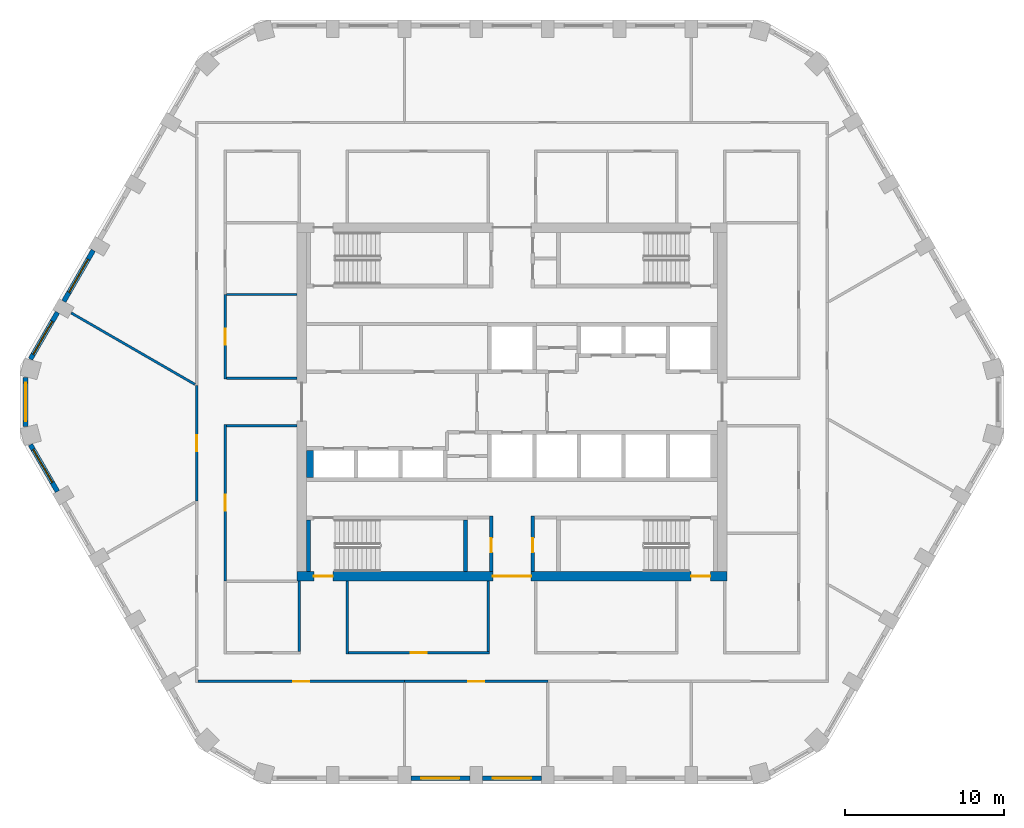
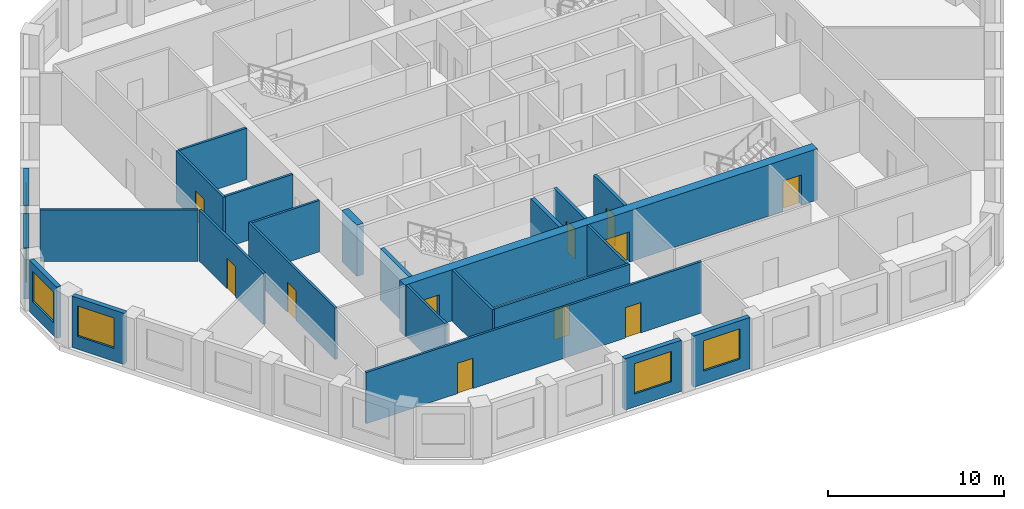
# One storey, part 2 of 9: 25 walls, 11 doors, 6 windows, 17 openings.
"""IFC4 building model written with IfcOpenShell, lengths in metres."""

from ifc_helpers import new_model, si_unit, direction, frame, frame_2d, origin, place, context, subcontext, project, spatial, polyline, rectangle, outline, extrude, material, layer, layer_set, type_object, element, fill, save


model = new_model("IFC4")

# Units and contexts
model_context = context("Model", 3, precision=1e-05, world=origin(), true_north=direction((0.0, 1.0)))
body_context = subcontext(model_context, "Body", "Model", "MODEL_VIEW")
ifc_project = project(units=[si_unit("LENGTHUNIT", "METRE"), si_unit("AREAUNIT", "SQUARE_METRE"), si_unit("VOLUMEUNIT", "CUBIC_METRE"), si_unit("PLANEANGLEUNIT", "RADIAN"), si_unit("MASSUNIT", "GRAM", prefix="KILO")], contexts=[model_context])

# Site, building, storey
site_placement = place(None, origin())
site = spatial("IfcSite", under=ifc_project, at=site_placement, CompositionType="ELEMENT")
building_placement = place(site_placement, origin())
building = spatial("IfcBuilding", under=site, at=building_placement, Name="Dhurran Vertical Campus", CompositionType="ELEMENT")
storey_placement = place(building_placement, frame((0.0, 0.0, 199.5)))
storey = spatial("IfcBuildingStorey", under=building, at=storey_placement, Name="L49", CompositionType="ELEMENT", Elevation=199.5)

# Wall, opening, window
ifc_material_1 = material(Name="Precast concrete C50/60", Category="concrete")
ifc_layer_1 = layer(ifc_material_1, 0.300048828125)
ifc_layer_set_1 = layer_set([ifc_layer_1], Name="Precast concrete C50/60")
wall_type_1 = type_object("IfcWallType", Name="Precast spandrel wall 300", PredefinedType="SOLIDWALL", material=ifc_layer_set_1)
wall_1_placement = place(storey_placement, frame((-6.349609375, -23.635498046875, 0.0), z_axis=(0.0, 0.0, 1.0), x_axis=(1.0, 0.0, 0.0)))
wall_1 = element("IfcWall", 1, at=wall_1_placement, inside=storey, type_object=wall_type_1, Name="EW1 L49.02", PredefinedType="SOLIDWALL", context=body_context, shape_type="SweptSolid", body=[
    extrude(rectangle(XDim=3.69921875, YDim=0.300048828125, at=frame_2d((1.849609375, 0.0))), origin(), (0.0, 0.0, 1.0), 3.550048828125),
])
opening_1_placement = place(wall_1_placement, frame((0.6494140625, 0.0, 0.89990234375)))
opening_1 = element("IfcOpeningElement", 2, at=opening_1_placement, cuts=wall_1, Name="Opening WT1", PredefinedType="OPENING", context=body_context, shape_type="SweptSolid", body=[
    extrude(rectangle(XDim=2.39990234375, YDim=2.10009765625, at=frame_2d((1.199951171875, 1.050048828125))), frame((0.0, 0.159912109375, 0.0), z_axis=(0.0, -1.0, 0.0), x_axis=(1.0, 0.0, 0.0)), (0.0, 0.0, 1.0), 0.320068359375),
])
ifc_material_2 = material(Name="Aluminium frame with solar-control glass", Category="aluminium")
window_type = type_object("IfcWindowType", Name="Punched window 2400 x 2100", PartitioningType="SINGLE_PANEL", PredefinedType="WINDOW", material=ifc_material_2)
window_1_placement = place(opening_1_placement, origin())
window_1 = element("IfcWindow", 3, at=window_1_placement, inside=storey, type_object=window_type, Name="WT1 L49.02", OverallHeight=2.10009765625, OverallWidth=2.39990234375, PartitioningType="SINGLE_PANEL", PredefinedType="WINDOW", context=body_context, shape_type="SweptSolid", body=[
    extrude(rectangle(XDim=2.39990234375, YDim=2.10009765625, at=frame_2d((1.199951171875, 1.050048828125))), frame((0.0, 0.030029296875, 0.0), z_axis=(0.0, -1.0, 0.0), x_axis=(1.0, 0.0, 0.0)), (0.0, 0.0, 1.0), 0.06005859375),
])
fill(opening_1, window_1)

wall_2_placement = place(storey_placement, frame((-1.849609375, -23.635498046875, 0.0), z_axis=(0.0, 0.0, 1.0), x_axis=(1.0, 0.0, 0.0)))
wall_2 = element("IfcWall", 4, at=wall_2_placement, inside=storey, type_object=wall_type_1, Name="EW1 L49.03", PredefinedType="SOLIDWALL", context=body_context, shape_type="SweptSolid", body=[
    extrude(rectangle(XDim=3.69921875, YDim=0.300048828125, at=frame_2d((1.849609375, 0.0))), origin(), (0.0, 0.0, 1.0), 3.550048828125),
])
opening_2_placement = place(wall_2_placement, frame((0.6494140625, 0.0, 0.89990234375)))
opening_2 = element("IfcOpeningElement", 5, at=opening_2_placement, cuts=wall_2, Name="Opening WT1", PredefinedType="OPENING", context=body_context, shape_type="SweptSolid", body=[
    extrude(rectangle(XDim=2.39990234375, YDim=2.10009765625, at=frame_2d((1.199951171875, 1.050048828125))), frame((0.0, 0.159912109375, 0.0), z_axis=(0.0, -1.0, 0.0), x_axis=(1.0, 0.0, 0.0)), (0.0, 0.0, 1.0), 0.320068359375),
])
window_2_placement = place(opening_2_placement, origin())
window_2 = element("IfcWindow", 6, at=window_2_placement, inside=storey, type_object=window_type, Name="WT1 L49.03", OverallHeight=2.10009765625, OverallWidth=2.39990234375, PartitioningType="SINGLE_PANEL", PredefinedType="WINDOW", context=body_context, shape_type="SweptSolid", body=[
    extrude(rectangle(XDim=2.39990234375, YDim=2.10009765625, at=frame_2d((1.199951171875, 1.050048828125))), frame((0.0, 0.030029296875, 0.0), z_axis=(0.0, -1.0, 0.0), x_axis=(1.0, 0.0, 0.0)), (0.0, 0.0, 1.0), 0.06005859375),
])
fill(opening_2, window_2)

wall_3_placement = place(storey_placement, frame((-26.294189453125, 9.5224609375, 0.0), z_axis=(0.0, 0.0, 1.0), x_axis=(-0.500029062817, -0.866008623709, 0.0)))
wall_3 = element("IfcWall", 7, at=wall_3_placement, inside=storey, type_object=wall_type_1, Name="EW1 L49.31", PredefinedType="SOLIDWALL", context=body_context, shape_type="SweptSolid", body=[
    extrude(rectangle(XDim=3.698974609375, YDim=0.300048828125, at=frame_2d((1.849609375, 0.0))), origin(), (0.0, 0.0, 1.0), 3.550048828125),
])
opening_3_placement = place(wall_3_placement, frame((0.6494140625, 0.0, 0.89990234375)))
opening_3 = element("IfcOpeningElement", 8, at=opening_3_placement, cuts=wall_3, Name="Opening WT1", PredefinedType="OPENING", context=body_context, shape_type="SweptSolid", body=[
    extrude(rectangle(XDim=2.39990234375, YDim=2.10009765625, at=frame_2d((1.199951171875, 1.050048828125))), frame((0.0, 0.159912109375, 0.0), z_axis=(0.0, -1.0, 0.0), x_axis=(1.0, 0.0, 0.0)), (0.0, 0.0, 1.0), 0.320068359375),
])
window_3_placement = place(opening_3_placement, origin())
window_3 = element("IfcWindow", 9, at=window_3_placement, inside=storey, type_object=window_type, Name="WT1 L49.31", OverallHeight=2.10009765625, OverallWidth=2.39990234375, PartitioningType="SINGLE_PANEL", PredefinedType="WINDOW", context=body_context, shape_type="SweptSolid", body=[
    extrude(rectangle(XDim=2.39990234375, YDim=2.10009765625, at=frame_2d((1.199951171875, 1.050048828125))), frame((0.0, 0.030029296875, 0.0), z_axis=(0.0, -1.0, 0.0), x_axis=(1.0, 0.0, 0.0)), (0.0, 0.0, 1.0), 0.06005859375),
])
fill(opening_3, window_3)

wall_4_placement = place(storey_placement, frame((-28.544189453125, 5.625244140625, 0.0), z_axis=(0.0, 0.0, 1.0), x_axis=(-0.500012868213, -0.866017974191, 0.0)))
wall_4 = element("IfcWall", 10, at=wall_4_placement, inside=storey, type_object=wall_type_1, Name="EW1 L49.32", PredefinedType="SOLIDWALL", context=body_context, shape_type="SweptSolid", body=[
    extrude(rectangle(XDim=3.39599609375, YDim=0.300048828125, at=frame_2d((1.697998046875, 0.0))), origin(), (0.0, 0.0, 1.0), 3.550048828125),
])
opening_4_placement = place(wall_4_placement, frame((0.6494140625, 0.0, 0.89990234375)))
opening_4 = element("IfcOpeningElement", 11, at=opening_4_placement, cuts=wall_4, Name="Opening WT1", PredefinedType="OPENING", context=body_context, shape_type="SweptSolid", body=[
    extrude(rectangle(XDim=2.39990234375, YDim=2.10009765625, at=frame_2d((1.199951171875, 1.050048828125))), frame((0.0, 0.159912109375, 0.0), z_axis=(0.0, -1.0, 0.0), x_axis=(1.0, 0.0, 0.0)), (0.0, 0.0, 1.0), 0.320068359375),
])
window_4_placement = place(opening_4_placement, origin())
window_4 = element("IfcWindow", 12, at=window_4_placement, inside=storey, type_object=window_type, Name="WT1 L49.32", OverallHeight=2.10009765625, OverallWidth=2.39990234375, PartitioningType="SINGLE_PANEL", PredefinedType="WINDOW", context=body_context, shape_type="SweptSolid", body=[
    extrude(rectangle(XDim=2.39990234375, YDim=2.10009765625, at=frame_2d((1.199951171875, 1.050048828125))), frame((0.0, 0.030029296875, 0.0), z_axis=(0.0, -1.0, 0.0), x_axis=(1.0, 0.0, 0.0)), (0.0, 0.0, 1.0), 0.06005859375),
])
fill(opening_4, window_4)

wall_5_placement = place(storey_placement, frame((-30.547119140625, 1.54638671875, 0.0), z_axis=(0.0, 0.0, 1.0), x_axis=(0.0, -1.0, 0.0)))
wall_5 = element("IfcWall", 13, at=wall_5_placement, inside=storey, type_object=wall_type_1, Name="EW1 L49.33", PredefinedType="SOLIDWALL", context=body_context, shape_type="SweptSolid", body=[
    extrude(rectangle(XDim=3.0927734375, YDim=0.300048828125, at=frame_2d((1.54638671875, 0.0))), origin(), (0.0, 0.0, 1.0), 3.550048828125),
])
opening_5_placement = place(wall_5_placement, frame((0.34619140625, 0.0, 0.89990234375)))
opening_5 = element("IfcOpeningElement", 14, at=opening_5_placement, cuts=wall_5, Name="Opening WT1", PredefinedType="OPENING", context=body_context, shape_type="SweptSolid", body=[
    extrude(rectangle(XDim=2.39990234375, YDim=2.10009765625, at=frame_2d((1.199951171875, 1.050048828125))), frame((0.0, 0.159912109375, 0.0), z_axis=(0.0, -1.0, 0.0), x_axis=(1.0, 0.0, 0.0)), (0.0, 0.0, 1.0), 0.320068359375),
])
window_5_placement = place(opening_5_placement, origin())
window_5 = element("IfcWindow", 15, at=window_5_placement, inside=storey, type_object=window_type, Name="WT1 L49.33", OverallHeight=2.10009765625, OverallWidth=2.39990234375, PartitioningType="SINGLE_PANEL", PredefinedType="WINDOW", context=body_context, shape_type="SweptSolid", body=[
    extrude(rectangle(XDim=2.39990234375, YDim=2.10009765625, at=frame_2d((1.199951171875, 1.050048828125))), frame((0.0, 0.030029296875, 0.0), z_axis=(0.0, -1.0, 0.0), x_axis=(1.0, 0.0, 0.0)), (0.0, 0.0, 1.0), 0.06005859375),
])
fill(opening_5, window_5)

wall_6_placement = place(storey_placement, frame((-30.2421875, -2.684326171875, 0.0), z_axis=(0.0, 0.0, 1.0), x_axis=(0.500012868213, -0.866017974191, 0.0)))
wall_6 = element("IfcWall", 16, at=wall_6_placement, inside=storey, type_object=wall_type_1, Name="EW1 L49.34", PredefinedType="SOLIDWALL", context=body_context, shape_type="SweptSolid", body=[
    extrude(rectangle(XDim=3.39599609375, YDim=0.300048828125, at=frame_2d((1.697998046875, 0.0))), origin(), (0.0, 0.0, 1.0), 3.550048828125),
])
opening_6_placement = place(wall_6_placement, frame((0.346435546875, 0.0, 0.89990234375)))
opening_6 = element("IfcOpeningElement", 17, at=opening_6_placement, cuts=wall_6, Name="Opening WT1", PredefinedType="OPENING", context=body_context, shape_type="SweptSolid", body=[
    extrude(rectangle(XDim=2.39990234375, YDim=2.10009765625, at=frame_2d((1.199951171875, 1.050048828125))), frame((0.0, 0.159912109375, 0.0), z_axis=(0.0, -1.0, 0.0), x_axis=(1.0, 0.0, 0.0)), (0.0, 0.0, 1.0), 0.320068359375),
])
window_6_placement = place(opening_6_placement, origin())
window_6 = element("IfcWindow", 18, at=window_6_placement, inside=storey, type_object=window_type, Name="WT1 L49.34", OverallHeight=2.10009765625, OverallWidth=2.39990234375, PartitioningType="SINGLE_PANEL", PredefinedType="WINDOW", context=body_context, shape_type="SweptSolid", body=[
    extrude(rectangle(XDim=2.39990234375, YDim=2.10009765625, at=frame_2d((1.199951171875, 1.050048828125))), frame((0.0, 0.030029296875, 0.0), z_axis=(0.0, -1.0, 0.0), x_axis=(1.0, 0.0, 0.0)), (0.0, 0.0, 1.0), 0.06005859375),
])
fill(opening_6, window_6)

# Wall, openings, doors
ifc_material_3 = material(Name="Concrete C50/60", Category="concrete")
ifc_layer_2 = layer(ifc_material_3, 0.60009765625)
ifc_layer_set_2 = layer_set([ifc_layer_2], Name="Concrete C50/60")
wall_type_2 = type_object("IfcWallType", Name="co-CORE-WALL-C2-600", PredefinedType="SHEAR", material=ifc_layer_set_2)
wall_7_placement = place(storey_placement, frame((-13.5, -10.949951171875, 0.0), z_axis=(0.0, 0.0, 1.0), x_axis=(1.0, 0.0, 0.0)))
wall_7 = element("IfcWall", 19, at=wall_7_placement, inside=storey, type_object=wall_type_2, Name="Core wall S L49", PredefinedType="SHEAR", context=body_context, shape_type="SweptSolid", body=[
    extrude(rectangle(XDim=27.0, YDim=0.60009765625, at=frame_2d((13.5, 0.0))), origin(), (0.0, 0.0, 1.0), 3.550048828125),
])
opening_7_placement = place(wall_7_placement, frame((12.300048828125, 0.0, 0.0)))
opening_7 = element("IfcOpeningElement", 20, at=opening_7_placement, cuts=wall_7, Name="Opening CV2", PredefinedType="OPENING", context=body_context, shape_type="SweptSolid", body=[
    extrude(rectangle(XDim=2.39990234375, YDim=2.10009765625, at=frame_2d((1.199951171875, 1.050048828125))), frame((0.0, 0.31005859375, 0.0), z_axis=(0.0, -1.0, 0.0), x_axis=(1.0, 0.0, 0.0)), (0.0, 0.0, 1.0), 0.6201171875),
])
opening_8_placement = place(wall_7_placement, frame((1.050048828125, 0.0, 0.0)))
opening_8 = element("IfcOpeningElement", 21, at=opening_8_placement, cuts=wall_7, Name="Opening XD3", PredefinedType="OPENING", context=body_context, shape_type="SweptSolid", body=[
    extrude(rectangle(XDim=1.199951171875, YDim=2.10009765625, at=frame_2d((0.60009765625, 1.050048828125))), frame((0.0, 0.31005859375, 0.0), z_axis=(0.0, -1.0, 0.0), x_axis=(1.0, 0.0, 0.0)), (0.0, 0.0, 1.0), 0.6201171875),
])
opening_9_placement = place(wall_7_placement, frame((24.75, 0.0, 0.0)))
opening_9 = element("IfcOpeningElement", 22, at=opening_9_placement, cuts=wall_7, Name="Opening XD4", PredefinedType="OPENING", context=body_context, shape_type="SweptSolid", body=[
    extrude(rectangle(XDim=1.199951171875, YDim=2.10009765625, at=frame_2d((0.60009765625, 1.050048828125))), frame((0.0, 0.31005859375, 0.0), z_axis=(0.0, -1.0, 0.0), x_axis=(1.0, 0.0, 0.0)), (0.0, 0.0, 1.0), 0.6201171875),
])
ifc_material_4 = material(Name="Fire-rated glazed door set")
door_type_1 = type_object("IfcDoorType", Name="co-D-LOBBY 2400x2100", OperationType="DOUBLE_DOOR_DOUBLE_SWING", PredefinedType="DOOR", material=ifc_material_4)
door_1_placement = place(opening_7_placement, origin())
door_1 = element("IfcDoor", 23, at=door_1_placement, inside=storey, type_object=door_type_1, Name="Core vestibule door S L49", OperationType="DOUBLE_DOOR_DOUBLE_SWING", OverallHeight=2.10009765625, OverallWidth=2.39990234375, PredefinedType="DOOR", context=body_context, shape_type="SweptSolid", body=[
    extrude(rectangle(XDim=2.39990234375, YDim=2.10009765625, at=frame_2d((1.199951171875, 1.050048828125))), frame((0.0, 0.02490234375, 0.0), z_axis=(0.0, -1.0, 0.0), x_axis=(1.0, 0.0, 0.0)), (0.0, 0.0, 1.0), 0.050048828125),
])
fill(opening_7, door_1)
ifc_material_5 = material(Name="Fire-rated steel door set", Category="steel")
door_type_2 = type_object("IfcDoorType", Name="co-D-STAIR-EXIT 1200x2100", OperationType="SINGLE_SWING_RIGHT", PredefinedType="DOOR", material=ifc_material_5)
door_2_placement = place(opening_8_placement, origin())
door_2 = element("IfcDoor", 24, at=door_2_placement, inside=storey, type_object=door_type_2, Name="Stair ST3 exit door L49", OperationType="SINGLE_SWING_RIGHT", OverallHeight=2.10009765625, OverallWidth=1.199951171875, PredefinedType="DOOR", context=body_context, shape_type="SweptSolid", body=[
    extrude(rectangle(XDim=1.199951171875, YDim=2.10009765625, at=frame_2d((0.60009765625, 1.050048828125))), frame((0.0, 0.02490234375, 0.0), z_axis=(0.0, -1.0, 0.0), x_axis=(1.0, 0.0, 0.0)), (0.0, 0.0, 1.0), 0.050048828125),
])
fill(opening_8, door_2)
door_3_placement = place(opening_9_placement, origin())
door_3 = element("IfcDoor", 25, at=door_3_placement, inside=storey, type_object=door_type_2, Name="Stair ST4 exit door L49", OperationType="SINGLE_SWING_RIGHT", OverallHeight=2.10009765625, OverallWidth=1.199951171875, PredefinedType="DOOR", context=body_context, shape_type="SweptSolid", body=[
    extrude(rectangle(XDim=1.199951171875, YDim=2.10009765625, at=frame_2d((0.60009765625, 1.050048828125))), frame((0.0, 0.02490234375, 0.0), z_axis=(0.0, -1.0, 0.0), x_axis=(1.0, 0.0, 0.0)), (0.0, 0.0, 1.0), 0.050048828125),
])
fill(opening_9, door_3)

# Wall, opening, door
ifc_material_6 = material(Name="Fire-rated masonry blockwork", Category="masonry")
ifc_layer_3 = layer(ifc_material_6, 0.199951171875)
ifc_layer_set_3 = layer_set([ifc_layer_3], Name="Fire-rated masonry blockwork")
wall_type_3 = type_object("IfcWallType", Name="co-FIRE-PARTITION-200", PredefinedType="PARTITIONING", material=ifc_layer_set_3)
wall_8_placement = place(storey_placement, frame((-1.300048828125, -10.64990234375, 0.0), z_axis=(0.0, 0.0, 1.0), x_axis=(0.0, 1.0, 0.0)))
wall_8 = element("IfcWall", 26, at=wall_8_placement, inside=storey, type_object=wall_type_3, Name="Core partition vest-SW L49", PredefinedType="PARTITIONING", context=body_context, shape_type="SweptSolid", body=[
    extrude(rectangle(XDim=3.5, YDim=0.199951171875, at=frame_2d((1.75, 0.0))), origin(), (0.0, 0.0, 1.0), 3.550048828125),
])
opening_10_placement = place(wall_8_placement, frame((1.199951171875, 0.0, 0.0)))
opening_10 = element("IfcOpeningElement", 27, at=opening_10_placement, cuts=wall_8, Name="Opening T14-C1", PredefinedType="OPENING", context=body_context, shape_type="SweptSolid", body=[
    extrude(rectangle(XDim=0.89990234375, YDim=2.10009765625, at=frame_2d((0.449951171875, 1.050048828125))), frame((0.0, 0.10986328125, 0.0), z_axis=(0.0, -1.0, 0.0), x_axis=(1.0, 0.0, 0.0)), (0.0, 0.0, 1.0), 0.219970703125),
])
ifc_material_7 = material(Name="Fire-rated timber door set", Category="wood")
door_type_3 = type_object("IfcDoorType", Name="co-D-ROOM 900x2100", OperationType="SINGLE_SWING_LEFT", PredefinedType="DOOR", material=ifc_material_7)
door_4_placement = place(opening_10_placement, origin())
door_4 = element("IfcDoor", 28, at=door_4_placement, inside=storey, type_object=door_type_3, Name="Fire equipment store door L49", OperationType="SINGLE_SWING_LEFT", OverallHeight=2.10009765625, OverallWidth=0.89990234375, PredefinedType="DOOR", context=body_context, shape_type="SweptSolid", body=[
    extrude(rectangle(XDim=0.89990234375, YDim=2.10009765625, at=frame_2d((0.449951171875, 1.050048828125))), frame((0.0, 0.02490234375, 0.0), z_axis=(0.0, -1.0, 0.0), x_axis=(1.0, 0.0, 0.0)), (0.0, 0.0, 1.0), 0.050048828125),
])
fill(opening_10, door_4)

wall_9_placement = place(storey_placement, frame((1.300048828125, -10.64990234375, 0.0), z_axis=(0.0, 0.0, 1.0), x_axis=(0.0, 1.0, 0.0)))
wall_9 = element("IfcWall", 29, at=wall_9_placement, inside=storey, type_object=wall_type_3, Name="Core partition vest-SE L49", PredefinedType="PARTITIONING", context=body_context, shape_type="SweptSolid", body=[
    extrude(rectangle(XDim=3.5, YDim=0.199951171875, at=frame_2d((1.75, 0.0))), origin(), (0.0, 0.0, 1.0), 3.550048828125),
])
opening_11_placement = place(wall_9_placement, frame((1.199951171875, 0.0, 0.0)))
opening_11 = element("IfcOpeningElement", 30, at=opening_11_placement, cuts=wall_9, Name="Opening T14-C2", PredefinedType="OPENING", context=body_context, shape_type="SweptSolid", body=[
    extrude(rectangle(XDim=0.89990234375, YDim=2.10009765625, at=frame_2d((0.449951171875, 1.050048828125))), frame((0.0, 0.10986328125, 0.0), z_axis=(0.0, -1.0, 0.0), x_axis=(1.0, 0.0, 0.0)), (0.0, 0.0, 1.0), 0.219970703125),
])
door_5_placement = place(opening_11_placement, origin())
door_5 = element("IfcDoor", 31, at=door_5_placement, inside=storey, type_object=door_type_3, Name="Print room door L49", OperationType="SINGLE_SWING_LEFT", OverallHeight=2.10009765625, OverallWidth=0.89990234375, PredefinedType="DOOR", context=body_context, shape_type="SweptSolid", body=[
    extrude(rectangle(XDim=0.89990234375, YDim=2.10009765625, at=frame_2d((0.449951171875, 1.050048828125))), frame((0.0, 0.02490234375, 0.0), z_axis=(0.0, -1.0, 0.0), x_axis=(1.0, 0.0, 0.0)), (0.0, 0.0, 1.0), 0.050048828125),
])
fill(opening_11, door_5)

# Walls
ifc_material_8 = material(Name="Concrete C50/60", Category="concrete")
ifc_layer_4 = layer(ifc_material_8, 0.25)
ifc_layer_set_4 = layer_set([ifc_layer_4], Name="Concrete C50/60")
wall_type_4 = type_object("IfcWallType", Name="co-SHAFT-MASS-250", PredefinedType="SHEAR", material=ifc_layer_set_4)
wall_10_placement = place(storey_placement, origin())
element("IfcWall", 32, at=wall_10_placement, inside=storey, type_object=wall_type_4, Name="Lift shaft wall S L49 3", PredefinedType="SHEAR", context=body_context, shape_type="SweptSolid", body=[
    extrude(outline(polyline([(-12.89990234375, -4.75), (-12.47509765625, -4.75), (-12.47509765625, -3.050048828125), (-12.89990234375, -3.050048828125), (-12.89990234375, -4.75)])), origin(), (0.0, 0.0, 1.0), 3.550048828125),
])
ifc_material_9 = material(Name="Concrete C40/50", Category="concrete")
ifc_layer_5 = layer(ifc_material_9, 0.25)
ifc_layer_set_5 = layer_set([ifc_layer_5], Name="Concrete C40/50")
wall_type_5 = type_object("IfcWallType", Name="co-STAIR-WALL-250", PredefinedType="SHEAR", material=ifc_layer_set_5)
for number, where, z_axis, x_axis, name in (
    (33, (-12.77490234375, -10.64990234375, 0.0), (0.0, 0.0, 1.0), (0.0, 1.0, 0.0), "Stair ST3 enclosure wall L49"),
    (34, (-2.925048828125, -10.64990234375, 0.0), (0.0, 0.0, 1.0), (0.0, 1.0, 0.0), "Stair ST3 enclosure wall L49"),
):
    element("IfcWall", number, at=place(storey_placement, frame(where, z_axis=z_axis, x_axis=x_axis)), inside=storey, type_object=wall_type_5, Name=name, PredefinedType="SHEAR", context=body_context, shape_type="SweptSolid", body=[
        extrude(rectangle(XDim=3.25, YDim=0.25, at=frame_2d((1.625, 0.0))), origin(), (0.0, 0.0, 1.0), 3.550048828125),
    ])

# Wall, opening, door
ifc_material_10 = material(Name="Gypsum board corridor wall on steel studs", Category="steel")
ifc_layer_6 = layer(ifc_material_10, 0.14990234375)
ifc_layer_set_6 = layer_set([ifc_layer_6], Name="Gypsum board corridor wall on steel studs")
wall_type_6 = type_object("IfcWallType", Name="fl-CW-150 corridor wall", PredefinedType="PARTITIONING", material=ifc_layer_set_6)
wall_11_placement = place(storey_placement, frame((-19.72509765625, -17.550048828125, 0.0), z_axis=(0.0, 0.0, 1.0), x_axis=(1.0, 0.0, 0.0)))
wall_11 = element("IfcWall", 35, at=wall_11_placement, inside=storey, type_object=wall_type_6, Name="Partition 49-06", PredefinedType="PARTITIONING", context=body_context, shape_type="SweptSolid", body=[
    extrude(rectangle(XDim=12.97509765625, YDim=0.14990234375, at=frame_2d((6.487548828125, 0.0))), origin(), (0.0, 0.0, 1.0), 3.550048828125),
])
opening_12_placement = place(wall_11_placement, frame((5.987548828125, 0.0, 0.0)))
opening_12 = element("IfcOpeningElement", 36, at=opening_12_placement, cuts=wall_11, Name="Opening T14.09", PredefinedType="OPENING", context=body_context, shape_type="SweptSolid", body=[
    extrude(rectangle(XDim=1.0, YDim=2.10009765625, at=frame_2d((0.5, 1.050048828125))), frame((0.0, 0.0849609375, 0.0), z_axis=(0.0, -1.0, 0.0), x_axis=(1.0, 0.0, 0.0)), (0.0, 0.0, 1.0), 0.169921875),
])
ifc_material_11 = material(Name="Solid-core timber door set, fire-rated", Category="wood")
door_type_4 = type_object("IfcDoorType", Name="fl-D-1000x2100", OperationType="SINGLE_SWING_LEFT", PredefinedType="DOOR", material=ifc_material_11)
door_6_placement = place(opening_12_placement, origin())
door_6 = element("IfcDoor", 37, at=door_6_placement, inside=storey, type_object=door_type_4, Name="Door 49.09", OperationType="SINGLE_SWING_RIGHT", OverallHeight=2.10009765625, OverallWidth=1.0, PredefinedType="DOOR", context=body_context, shape_type="SweptSolid", body=[
    extrude(rectangle(XDim=1.0, YDim=2.10009765625, at=frame_2d((0.5, 1.050048828125))), frame((0.0, 0.02490234375, 0.0), z_axis=(0.0, -1.0, 0.0), x_axis=(1.0, 0.0, 0.0)), (0.0, 0.0, 1.0), 0.050048828125),
])
fill(opening_12, door_6)

wall_12_placement = place(storey_placement, frame((-19.800048828125, 1.0390625, 0.0), z_axis=(0.0, 0.0, 1.0), x_axis=(0.0, -1.0, 0.0)))
wall_12 = element("IfcWall", 38, at=wall_12_placement, inside=storey, type_object=wall_type_6, Name="Partition 49-08", PredefinedType="PARTITIONING", context=body_context, shape_type="SweptSolid", body=[
    extrude(rectangle(XDim=7.274169921875, YDim=0.14990234375, at=frame_2d((3.63720703125, 0.0))), origin(), (0.0, 0.0, 1.0), 3.550048828125),
])
opening_13_placement = place(wall_12_placement, frame((3.136962890625, 0.0, 0.0)))
opening_13 = element("IfcOpeningElement", 39, at=opening_13_placement, cuts=wall_12, Name="Opening T14.01", PredefinedType="OPENING", context=body_context, shape_type="SweptSolid", body=[
    extrude(rectangle(XDim=1.0, YDim=2.10009765625, at=frame_2d((0.5, 1.050048828125))), frame((0.0, 0.0849609375, 0.0), z_axis=(0.0, -1.0, 0.0), x_axis=(1.0, 0.0, 0.0)), (0.0, 0.0, 1.0), 0.169921875),
])
door_7_placement = place(opening_13_placement, origin())
door_7 = element("IfcDoor", 40, at=door_7_placement, inside=storey, type_object=door_type_4, Name="Door 49.01", OperationType="SINGLE_SWING_RIGHT", OverallHeight=2.10009765625, OverallWidth=1.0, PredefinedType="DOOR", context=body_context, shape_type="SweptSolid", body=[
    extrude(rectangle(XDim=1.0, YDim=2.10009765625, at=frame_2d((0.5, 1.050048828125))), frame((0.0, 0.02490234375, 0.0), z_axis=(0.0, -1.0, 0.0), x_axis=(1.0, 0.0, 0.0)), (0.0, 0.0, 1.0), 0.050048828125),
])
fill(opening_13, door_7)

wall_13_placement = place(storey_placement, frame((-18.0, -11.25, 0.0), z_axis=(0.0, 0.0, 1.0), x_axis=(0.0, 1.0, 0.0)))
wall_13 = element("IfcWall", 41, at=wall_13_placement, inside=storey, type_object=wall_type_6, Name="Partition 49-14", PredefinedType="PARTITIONING", context=body_context, shape_type="SweptSolid", body=[
    extrude(rectangle(XDim=9.824951171875, YDim=0.14990234375, at=frame_2d((4.91259765625, 0.0))), origin(), (0.0, 0.0, 1.0), 3.550048828125),
])
opening_14_placement = place(wall_13_placement, frame((4.41259765625, 0.0, 0.0)))
opening_14 = element("IfcOpeningElement", 42, at=opening_14_placement, cuts=wall_13, Name="Opening T14.04", PredefinedType="OPENING", context=body_context, shape_type="SweptSolid", body=[
    extrude(rectangle(XDim=1.0, YDim=2.10009765625, at=frame_2d((0.5, 1.050048828125))), frame((0.0, 0.0849609375, 0.0), z_axis=(0.0, -1.0, 0.0), x_axis=(1.0, 0.0, 0.0)), (0.0, 0.0, 1.0), 0.169921875),
])
door_8_placement = place(opening_14_placement, origin())
door_8 = element("IfcDoor", 43, at=door_8_placement, inside=storey, type_object=door_type_4, Name="Door 49.04", OperationType="SINGLE_SWING_RIGHT", OverallHeight=2.10009765625, OverallWidth=1.0, PredefinedType="DOOR", context=body_context, shape_type="SweptSolid", body=[
    extrude(rectangle(XDim=1.0, YDim=2.10009765625, at=frame_2d((0.5, 1.050048828125))), frame((0.0, 0.02490234375, 0.0), z_axis=(0.0, -1.0, 0.0), x_axis=(1.0, 0.0, 0.0)), (0.0, 0.0, 1.0), 0.050048828125),
])
fill(opening_14, door_8)

# Wall
wall_14_placement = place(storey_placement, frame((-17.925048828125, -1.5, 0.0), z_axis=(0.0, 0.0, 1.0), x_axis=(1.0, 0.0, 0.0)))
element("IfcWall", 44, at=wall_14_placement, inside=storey, type_object=wall_type_6, Name="Partition 49-16", PredefinedType="PARTITIONING", context=body_context, shape_type="SweptSolid", body=[
    extrude(rectangle(XDim=4.425048828125, YDim=0.14990234375, at=frame_2d((2.21240234375, 0.0))), origin(), (0.0, 0.0, 1.0), 3.550048828125),
])

# Wall, opening, door
wall_15_placement = place(storey_placement, frame((-18.0, 1.425048828125, 0.0), z_axis=(0.0, 0.0, 1.0), x_axis=(0.0, 1.0, 0.0)))
wall_15 = element("IfcWall", 45, at=wall_15_placement, inside=storey, type_object=wall_type_6, Name="Partition 49-17", PredefinedType="PARTITIONING", context=body_context, shape_type="SweptSolid", body=[
    extrude(rectangle(XDim=5.324951171875, YDim=0.14990234375, at=frame_2d((2.66259765625, 0.0))), origin(), (0.0, 0.0, 1.0), 3.550048828125),
])
opening_15_placement = place(wall_15_placement, frame((2.16259765625, 0.0, 0.0)))
opening_15 = element("IfcOpeningElement", 46, at=opening_15_placement, cuts=wall_15, Name="Opening T14.05", PredefinedType="OPENING", context=body_context, shape_type="SweptSolid", body=[
    extrude(rectangle(XDim=1.0, YDim=2.10009765625, at=frame_2d((0.5, 1.050048828125))), frame((0.0, 0.0849609375, 0.0), z_axis=(0.0, -1.0, 0.0), x_axis=(1.0, 0.0, 0.0)), (0.0, 0.0, 1.0), 0.169921875),
])
door_9_placement = place(opening_15_placement, origin())
door_9 = element("IfcDoor", 47, at=door_9_placement, inside=storey, type_object=door_type_4, Name="Door 49.05", OperationType="SINGLE_SWING_LEFT", OverallHeight=2.10009765625, OverallWidth=1.0, PredefinedType="DOOR", context=body_context, shape_type="SweptSolid", body=[
    extrude(rectangle(XDim=1.0, YDim=2.10009765625, at=frame_2d((0.5, 1.050048828125))), frame((0.0, 0.02490234375, 0.0), z_axis=(0.0, -1.0, 0.0), x_axis=(1.0, 0.0, 0.0)), (0.0, 0.0, 1.0), 0.050048828125),
])
fill(opening_15, door_9)

# Walls
for number, where, z_axis, x_axis, name in (
    (48, (-13.5, 1.5, 0.0), (0.0, 0.0, 1.0), (-1.0, 0.0, 0.0), "Partition 49-18"),
    (49, (-13.35009765625, -11.25, 0.0), (0.0, 0.0, 1.0), (0.0, -1.0, 0.0), "Partition 49-24"),
):
    element("IfcWall", number, at=place(storey_placement, frame(where, z_axis=z_axis, x_axis=x_axis)), inside=storey, type_object=wall_type_6, Name=name, PredefinedType="PARTITIONING", context=body_context, shape_type="SweptSolid", body=[
        extrude(rectangle(XDim=4.425048828125, YDim=0.14990234375, at=frame_2d((2.21240234375, 0.0))), origin(), (0.0, 0.0, 1.0), 3.550048828125),
    ])
wall_16_placement = place(storey_placement, frame((-10.35009765625, -15.824951171875, 0.0), z_axis=(0.0, 0.0, 1.0), x_axis=(0.0, 1.0, 0.0)))
element("IfcWall", 50, at=wall_16_placement, inside=storey, type_object=wall_type_6, Name="Partition 49-26", PredefinedType="PARTITIONING", context=body_context, shape_type="SweptSolid", body=[
    extrude(rectangle(XDim=4.574951171875, YDim=0.14990234375, at=frame_2d((2.28759765625, 0.0))), origin(), (0.0, 0.0, 1.0), 3.550048828125),
])

# Wall, opening, door
wall_17_placement = place(storey_placement, frame((-1.425048828125, -15.75, 0.0), z_axis=(0.0, 0.0, 1.0), x_axis=(-1.0, 0.0, 0.0)))
wall_17 = element("IfcWall", 51, at=wall_17_placement, inside=storey, type_object=wall_type_6, Name="Partition 49-27", PredefinedType="PARTITIONING", context=body_context, shape_type="SweptSolid", body=[
    extrude(rectangle(XDim=8.849853515625, YDim=0.14990234375, at=frame_2d((4.4248046875, 0.0))), origin(), (0.0, 0.0, 1.0), 3.550048828125),
])
opening_16_placement = place(wall_17_placement, frame((3.925048828125, 0.0, 0.0)))
opening_16 = element("IfcOpeningElement", 52, at=opening_16_placement, cuts=wall_17, Name="Opening T14.11", PredefinedType="OPENING", context=body_context, shape_type="SweptSolid", body=[
    extrude(rectangle(XDim=1.0, YDim=2.10009765625, at=frame_2d((0.5, 1.050048828125))), frame((0.0, 0.0849609375, 0.0), z_axis=(0.0, -1.0, 0.0), x_axis=(1.0, 0.0, 0.0)), (0.0, 0.0, 1.0), 0.169921875),
])
door_10_placement = place(opening_16_placement, origin())
door_10 = element("IfcDoor", 53, at=door_10_placement, inside=storey, type_object=door_type_4, Name="Door 49.11", OperationType="SINGLE_SWING_RIGHT", OverallHeight=2.10009765625, OverallWidth=1.0, PredefinedType="DOOR", context=body_context, shape_type="SweptSolid", body=[
    extrude(rectangle(XDim=1.0, YDim=2.10009765625, at=frame_2d((0.5, 1.050048828125))), frame((0.0, 0.02490234375, 0.0), z_axis=(0.0, -1.0, 0.0), x_axis=(1.0, 0.0, 0.0)), (0.0, 0.0, 1.0), 0.050048828125),
])
fill(opening_16, door_10)

wall_18_placement = place(storey_placement, frame((-6.75, -17.550048828125, 0.0), z_axis=(0.0, 0.0, 1.0), x_axis=(1.0, 0.0, 0.0)))
wall_18 = element("IfcWall", 54, at=wall_18_placement, inside=storey, type_object=wall_type_6, Name="Partition 49-31", PredefinedType="PARTITIONING", context=body_context, shape_type="SweptSolid", body=[
    extrude(rectangle(XDim=9.0, YDim=0.14990234375, at=frame_2d((4.5, 0.0))), origin(), (0.0, 0.0, 1.0), 3.550048828125),
])
opening_17_placement = place(wall_18_placement, frame((4.0, 0.0, 0.0)))
opening_17 = element("IfcOpeningElement", 55, at=opening_17_placement, cuts=wall_18, Name="Opening T14.13", PredefinedType="OPENING", context=body_context, shape_type="SweptSolid", body=[
    extrude(rectangle(XDim=1.0, YDim=2.10009765625, at=frame_2d((0.5, 1.050048828125))), frame((0.0, 0.0849609375, 0.0), z_axis=(0.0, -1.0, 0.0), x_axis=(1.0, 0.0, 0.0)), (0.0, 0.0, 1.0), 0.169921875),
])
door_11_placement = place(opening_17_placement, origin())
door_11 = element("IfcDoor", 56, at=door_11_placement, inside=storey, type_object=door_type_4, Name="Door 49.13", OperationType="SINGLE_SWING_LEFT", OverallHeight=2.10009765625, OverallWidth=1.0, PredefinedType="DOOR", context=body_context, shape_type="SweptSolid", body=[
    extrude(rectangle(XDim=1.0, YDim=2.10009765625, at=frame_2d((0.5, 1.050048828125))), frame((0.0, 0.02490234375, 0.0), z_axis=(0.0, -1.0, 0.0), x_axis=(1.0, 0.0, 0.0)), (0.0, 0.0, 1.0), 0.050048828125),
])
fill(opening_17, door_11)

# Walls
wall_19_placement = place(storey_placement, frame((-1.5, -11.25, 0.0), z_axis=(0.0, 0.0, 1.0), x_axis=(0.0, -1.0, 0.0)))
element("IfcWall", 57, at=wall_19_placement, inside=storey, type_object=wall_type_6, Name="Partition 49-34", PredefinedType="PARTITIONING", context=body_context, shape_type="SweptSolid", body=[
    extrude(rectangle(XDim=4.425048828125, YDim=0.14990234375, at=frame_2d((2.21240234375, 0.0))), origin(), (0.0, 0.0, 1.0), 3.550048828125),
])
ifc_material_12 = material(Name="Gypsum board partition on steel studs", Category="steel")
ifc_layer_7 = layer(ifc_material_12, 0.14990234375)
ifc_layer_set_7 = layer_set([ifc_layer_7], Name="Gypsum board partition on steel studs")
wall_type_7 = type_object("IfcWallType", Name="fl-PW-150 fixed partition", PredefinedType="PARTITIONING", material=ifc_layer_set_7)
wall_20_placement = place(storey_placement, frame((-27.677001953125, 5.587158203125, 0.0), z_axis=(0.0, 0.0, 1.0), x_axis=(0.866007370051, -0.500031234042, 0.0)))
element("IfcWall", 58, at=wall_20_placement, inside=storey, type_object=wall_type_7, Name="Partition 49-01", PredefinedType="PARTITIONING", context=body_context, shape_type="SweptSolid", body=[
    extrude(rectangle(XDim=8.9658203125, YDim=0.14990234375, at=frame_2d((4.48291015625, 0.0))), origin(), (0.0, 0.0, 1.0), 3.550048828125),
])
wall_21_placement = place(storey_placement, frame((-17.925048828125, 6.75, 0.0), z_axis=(0.0, 0.0, 1.0), x_axis=(1.0, 0.0, 0.0)))
element("IfcWall", 59, at=wall_21_placement, inside=storey, type_object=wall_type_7, Name="Partition 49-20", PredefinedType="PARTITIONING", context=body_context, shape_type="SweptSolid", body=[
    extrude(rectangle(XDim=4.425048828125, YDim=0.14990234375, at=frame_2d((2.21240234375, 0.0))), origin(), (0.0, 0.0, 1.0), 3.550048828125),
])

save(model, "model.ifc")
